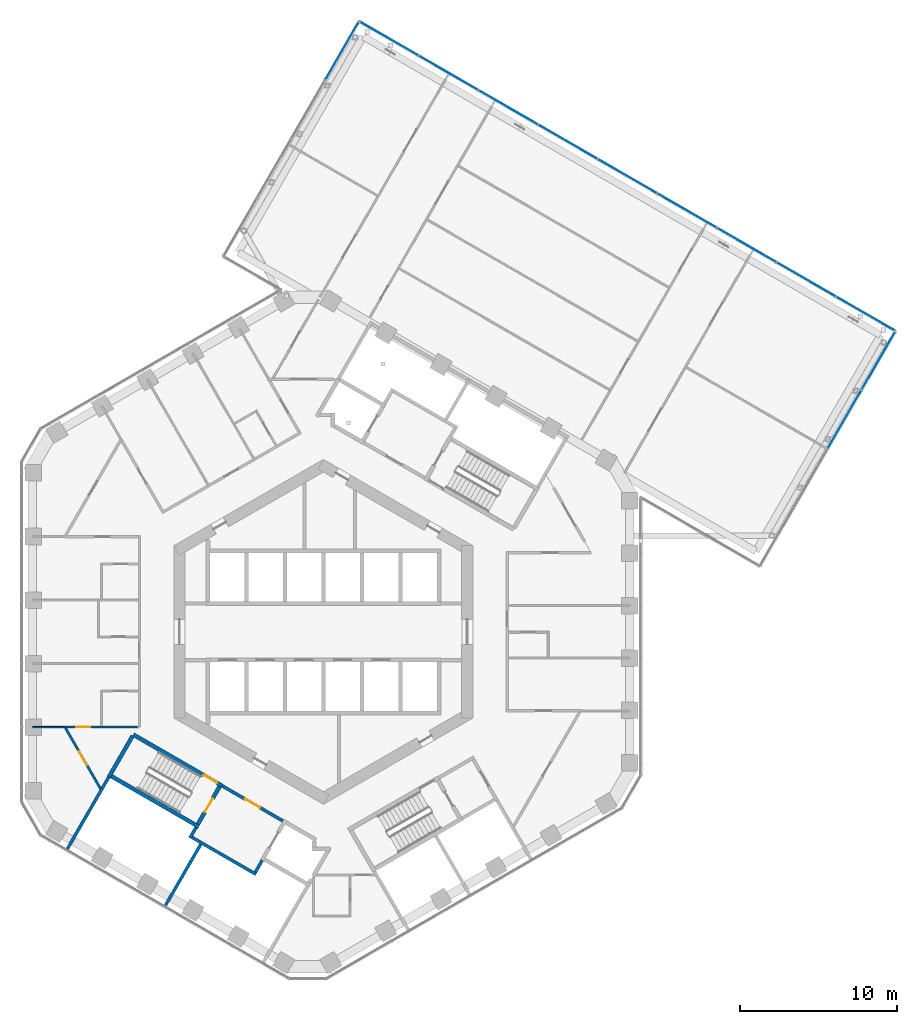
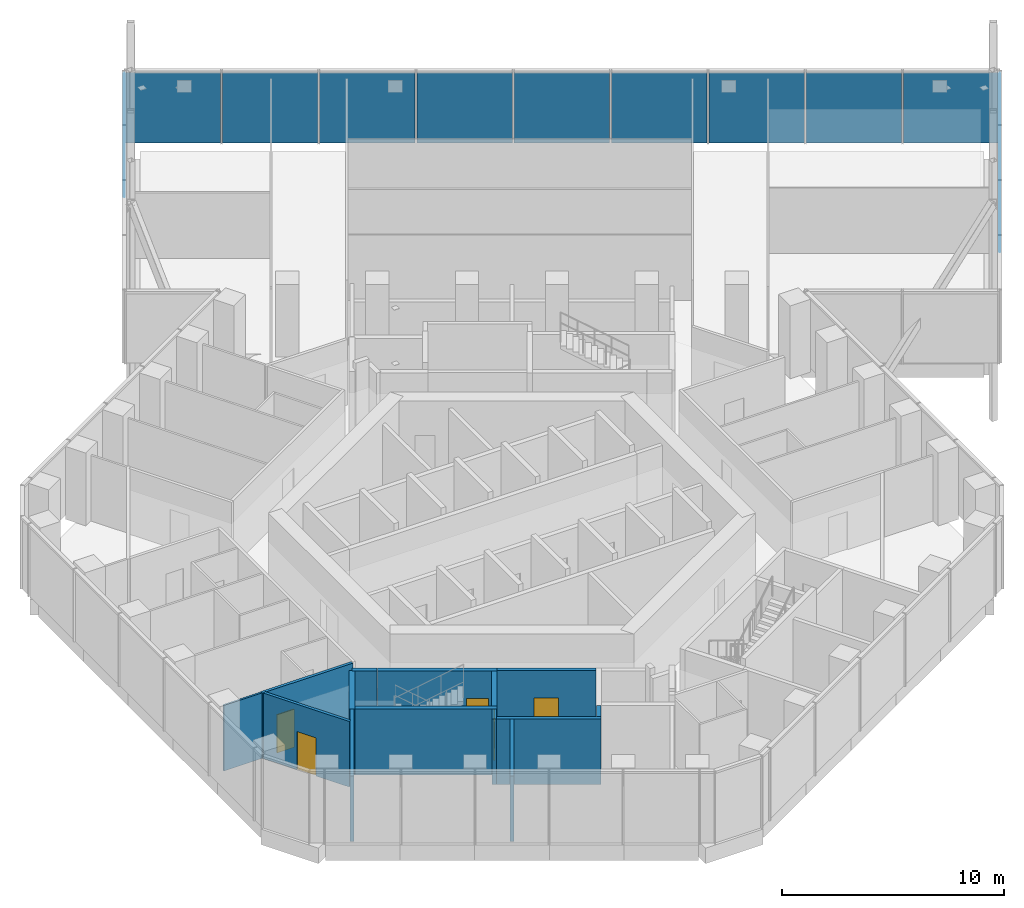
# One storey, part 18 of 25: 14 walls, 12 plates, 5 doors, 5 openings, 3 elements without a shape of their own.
"""IFC4 building model written with IfcOpenShell, lengths in metres."""

from ifc_helpers import new_model, si_unit, direction, frame, frame_2d, origin, origin_2d, place, context, subcontext, project, spatial, rectangle, extrude, material, layer, layer_set, type_object, element, fill, aggregate, save


model = new_model("IFC4")

# Units and contexts
model_context = context("Model", 3, precision=1e-05, world=origin(), true_north=direction((0.0, 1.0)))
body_context = subcontext(model_context, "Body", "Model", "MODEL_VIEW")
ifc_project = project(units=[si_unit("LENGTHUNIT", "METRE"), si_unit("AREAUNIT", "SQUARE_METRE"), si_unit("VOLUMEUNIT", "CUBIC_METRE"), si_unit("PLANEANGLEUNIT", "RADIAN"), si_unit("MASSUNIT", "GRAM", prefix="KILO")], contexts=[model_context])

# Site, building, storey
site_placement = place(None, origin())
site = spatial("IfcSite", under=ifc_project, at=site_placement, CompositionType="ELEMENT")
building_placement = place(site_placement, origin())
building = spatial("IfcBuilding", under=site, at=building_placement, Name="Ayvan Gate Tower", CompositionType="ELEMENT")
storey_placement = place(building_placement, frame((0.0, 0.0, 139.89990234375)))
storey = spatial("IfcBuildingStorey", under=building, at=storey_placement, Name="L37", CompositionType="ELEMENT", Elevation=139.89990234375)

# Curtain wall, plates
ifc_material_1 = material(Name="Bronze anodised aluminium", Category="aluminium")
ifc_layer_1 = layer(ifc_material_1, 0.199951171875)
ifc_layer_set_1 = layer_set([ifc_layer_1], Name="Bronze anodised aluminium")
curtain_wall_type = type_object("IfcCurtainWallType", Name="Stick curtain wall CW-4", PredefinedType="NOTDEFINED", material=ifc_layer_set_1)
curtain_wall_1_placement = place(storey_placement, origin())
curtain_wall_1 = element("IfcCurtainWall", 1, at=curtain_wall_1_placement, inside=storey, type_object=curtain_wall_type, Name="Stick curtain wall CW-4 L37", PredefinedType="NOTDEFINED")
ifc_material_2 = material(Name="Pale anodised aluminium composite panel", Category="aluminium")
ifc_layer_2 = layer(ifc_material_2, 0.028076171875)
ifc_layer_set_2 = layer_set([ifc_layer_2], Name="Pale anodised aluminium composite panel")
plate_type = type_object("IfcPlateType", Name="Stick curtain wall CW-4 solid panel", PredefinedType="CURTAIN_PANEL", material=ifc_layer_set_2)
plate_1_placement = place(storey_placement, frame((33.153076171875, 13.52294921875, 0.0), z_axis=(0.0, 0.0, 1.0), x_axis=(0.5, 0.866025403784, 0.0)))
plate_1 = element("IfcPlate", 2, at=plate_1_placement, type_object=plate_type, Name="CW-4 solid panel 3", PredefinedType="CURTAIN_PANEL", context=body_context, shape_type="SweptSolid", body=[
    extrude(rectangle(XDim=4.237548828125, YDim=0.028076171875, at=origin_2d()), origin(), (0.0, 0.0, 1.0), 3.860107421875),
])
plate_2_placement = place(storey_placement, frame((35.311767578125, 17.261962890625, 0.0), z_axis=(0.0, 0.0, 1.0), x_axis=(0.5, 0.866025403784, 0.0)))
plate_2 = element("IfcPlate", 3, at=plate_2_placement, type_object=plate_type, Name="CW-4 solid panel 4", PredefinedType="CURTAIN_PANEL", context=body_context, shape_type="SweptSolid", body=[
    extrude(rectangle(XDim=4.237548828125, YDim=0.028076171875, at=origin_2d()), origin(), (0.0, 0.0, 1.0), 3.860107421875),
])
aggregate(curtain_wall_1, [plate_1, plate_2])

curtain_wall_2_placement = place(storey_placement, origin())
curtain_wall_2 = element("IfcCurtainWall", 4, at=curtain_wall_2_placement, inside=storey, type_object=curtain_wall_type, Name="Stick curtain wall CW-4 L37", PredefinedType="NOTDEFINED")
plate_3_placement = place(storey_placement, frame((34.49560546875, 20.225830078125, 0.0), z_axis=(0.0, 0.0, 1.0), x_axis=(-0.866025403784, 0.5, 0.0)))
plate_3 = element("IfcPlate", 5, at=plate_3_placement, type_object=plate_type, Name="CW-4 solid panel 1", PredefinedType="CURTAIN_PANEL", context=body_context, shape_type="SweptSolid", body=[
    extrude(rectangle(XDim=4.2978515625, YDim=0.028076171875, at=origin_2d()), origin(), (0.0, 0.0, 1.0), 3.860107421875),
])
plate_4_placement = place(storey_placement, frame((30.704345703125, 22.414794921875, 0.0), z_axis=(0.0, 0.0, 1.0), x_axis=(-0.866025403784, 0.5, 0.0)))
plate_4 = element("IfcPlate", 6, at=plate_4_placement, type_object=plate_type, Name="CW-4 solid panel 2", PredefinedType="CURTAIN_PANEL", context=body_context, shape_type="SweptSolid", body=[
    extrude(rectangle(XDim=4.2978515625, YDim=0.028076171875, at=origin_2d()), origin(), (0.0, 0.0, 1.0), 3.860107421875),
])
plate_5_placement = place(storey_placement, frame((26.9130859375, 24.603759765625, 0.0), z_axis=(0.0, 0.0, 1.0), x_axis=(-0.866025403784, 0.5, 0.0)))
plate_5 = element("IfcPlate", 7, at=plate_5_placement, type_object=plate_type, Name="CW-4 solid panel 3", PredefinedType="CURTAIN_PANEL", context=body_context, shape_type="SweptSolid", body=[
    extrude(rectangle(XDim=4.2978515625, YDim=0.028076171875, at=origin_2d()), origin(), (0.0, 0.0, 1.0), 3.860107421875),
])
plate_6_placement = place(storey_placement, frame((23.121826171875, 26.79248046875, 0.0), z_axis=(0.0, 0.0, 1.0), x_axis=(-0.866025403784, 0.5, 0.0)))
plate_6 = element("IfcPlate", 8, at=plate_6_placement, type_object=plate_type, Name="CW-4 solid panel 4", PredefinedType="CURTAIN_PANEL", context=body_context, shape_type="SweptSolid", body=[
    extrude(rectangle(XDim=4.2978515625, YDim=0.028076171875, at=origin_2d()), origin(), (0.0, 0.0, 1.0), 3.860107421875),
])
plate_7_placement = place(storey_placement, frame((19.33056640625, 28.9814453125, 0.0), z_axis=(0.0, 0.0, 1.0), x_axis=(-0.866025403784, 0.5, 0.0)))
plate_7 = element("IfcPlate", 9, at=plate_7_placement, type_object=plate_type, Name="CW-4 solid panel 5", PredefinedType="CURTAIN_PANEL", context=body_context, shape_type="SweptSolid", body=[
    extrude(rectangle(XDim=4.2978515625, YDim=0.028076171875, at=origin_2d()), origin(), (0.0, 0.0, 1.0), 3.860107421875),
])
plate_8_placement = place(storey_placement, frame((15.539306640625, 31.17041015625, 0.0), z_axis=(0.0, 0.0, 1.0), x_axis=(-0.866025403784, 0.5, 0.0)))
plate_8 = element("IfcPlate", 10, at=plate_8_placement, type_object=plate_type, Name="CW-4 solid panel 6", PredefinedType="CURTAIN_PANEL", context=body_context, shape_type="SweptSolid", body=[
    extrude(rectangle(XDim=4.2978515625, YDim=0.028076171875, at=origin_2d()), origin(), (0.0, 0.0, 1.0), 3.860107421875),
])
plate_9_placement = place(storey_placement, frame((11.748046875, 33.359130859375, 0.0), z_axis=(0.0, 0.0, 1.0), x_axis=(-0.866025403784, 0.5, 0.0)))
plate_9 = element("IfcPlate", 11, at=plate_9_placement, type_object=plate_type, Name="CW-4 solid panel 7", PredefinedType="CURTAIN_PANEL", context=body_context, shape_type="SweptSolid", body=[
    extrude(rectangle(XDim=4.2978515625, YDim=0.028076171875, at=origin_2d()), origin(), (0.0, 0.0, 1.0), 3.860107421875),
])
plate_10_placement = place(storey_placement, frame((7.956787109375, 35.548095703125, 0.0), z_axis=(0.0, 0.0, 1.0), x_axis=(-0.866025403784, 0.5, 0.0)))
plate_10 = element("IfcPlate", 12, at=plate_10_placement, type_object=plate_type, Name="CW-4 solid panel 8", PredefinedType="CURTAIN_PANEL", context=body_context, shape_type="SweptSolid", body=[
    extrude(rectangle(XDim=4.2978515625, YDim=0.028076171875, at=origin_2d()), origin(), (0.0, 0.0, 1.0), 3.860107421875),
])
plate_11_placement = place(storey_placement, frame((4.16552734375, 37.737060546875, 0.0), z_axis=(0.0, 0.0, 1.0), x_axis=(-0.866025403784, 0.5, 0.0)))
plate_11 = element("IfcPlate", 13, at=plate_11_placement, type_object=plate_type, Name="CW-4 solid panel 9", PredefinedType="CURTAIN_PANEL", context=body_context, shape_type="SweptSolid", body=[
    extrude(rectangle(XDim=4.2978515625, YDim=0.028076171875, at=origin_2d()), origin(), (0.0, 0.0, 1.0), 3.860107421875),
])
aggregate(curtain_wall_2, [plate_3, plate_4, plate_5, plate_6, plate_7, plate_8, plate_9, plate_10, plate_11])

# Curtain wall, plate
curtain_wall_3_placement = place(storey_placement, origin())
curtain_wall_3 = element("IfcCurtainWall", 14, at=curtain_wall_3_placement, inside=storey, type_object=curtain_wall_type, Name="Stick curtain wall CW-4 L37", PredefinedType="NOTDEFINED")
plate_12_placement = place(storey_placement, frame((1.1904296875, 36.9619140625, 0.0), z_axis=(0.0, 0.0, 1.0), x_axis=(-0.5, -0.866025403784, 0.0)))
plate_12 = element("IfcPlate", 15, at=plate_12_placement, type_object=plate_type, Name="CW-4 solid panel 1", PredefinedType="CURTAIN_PANEL", context=body_context, shape_type="SweptSolid", body=[
    extrude(rectangle(XDim=4.237548828125, YDim=0.028076171875, at=origin_2d()), origin(), (0.0, 0.0, 1.0), 3.860107421875),
])
aggregate(curtain_wall_3, [plate_12])

# Wall, opening, door
ifc_material_3 = material(Name="Plasterboard on steel stud", Category="steel")
ifc_layer_3 = layer(ifc_material_3, 0.14990234375)
ifc_layer_set_3 = layer_set([ifc_layer_3], Name="Plasterboard on steel stud")
wall_type_1 = type_object("IfcWallType", Name="WT-CORR-150", PredefinedType="PARTITIONING", material=ifc_layer_set_3)
wall_1_placement = place(storey_placement, frame((-16.513916015625, -6.05419921875, 0.0), z_axis=(0.0, 0.0, 1.0), x_axis=(1.0, 0.0, 0.0)))
wall_1 = element("IfcWall", 16, at=wall_1_placement, inside=storey, type_object=wall_type_1, Name="IW-L37-001", PredefinedType="PARTITIONING", context=body_context, shape_type="SweptSolid", body=[
    extrude(rectangle(XDim=4.704833984375, YDim=0.14990234375, at=frame_2d((2.3525390625, 0.0))), origin(), (0.0, 0.0, 1.0), 3.60009765625),
])
opening_1_placement = place(wall_1_placement, frame((0.796630859375, 0.0, 0.0)))
opening_1 = element("IfcOpeningElement", 17, at=opening_1_placement, cuts=wall_1, Name="Opening L37-D26", PredefinedType="OPENING", context=body_context, shape_type="SweptSolid", body=[
    extrude(rectangle(XDim=0.89990234375, YDim=2.10009765625, at=frame_2d((0.449951171875, 1.050048828125))), frame((0.0, 0.0849609375, 0.0), z_axis=(0.0, -1.0, 0.0), x_axis=(1.0, 0.0, 0.0)), (0.0, 0.0, 1.0), 0.169921875),
])
ifc_material_4 = material(Name="Timber door leaf", Category="wood")
door_type_1 = type_object("IfcDoorType", Name="DT-900", OperationType="NOTDEFINED", PredefinedType="DOOR", material=ifc_material_4)
door_1_placement = place(opening_1_placement, origin())
door_1 = element("IfcDoor", 18, at=door_1_placement, inside=storey, type_object=door_type_1, Name="ID-L37-026", OperationType="SINGLE_SWING_LEFT", OverallHeight=2.10009765625, OverallWidth=0.89990234375, PredefinedType="DOOR", context=body_context, shape_type="SweptSolid", body=[
    extrude(rectangle(XDim=0.89990234375, YDim=2.10009765625, at=frame_2d((0.449951171875, 1.050048828125))), frame((0.0, 0.02490234375, 0.0), z_axis=(0.0, -1.0, 0.0), x_axis=(1.0, 0.0, 0.0)), (0.0, 0.0, 1.0), 0.050048828125),
])
fill(opening_1, door_1)

wall_2_placement = place(storey_placement, frame((-14.174072265625, -9.976806640625, 0.0), z_axis=(0.0, 0.0, 1.0), x_axis=(-0.500011854745, 0.866018559336, 0.0)))
wall_2 = element("IfcWall", 19, at=wall_2_placement, inside=storey, type_object=wall_type_1, Name="IW-L37-008", PredefinedType="PARTITIONING", context=body_context, shape_type="SweptSolid", body=[
    extrude(rectangle(XDim=4.45458984375, YDim=0.14990234375, at=frame_2d((2.227294921875, 0.0))), origin(), (0.0, 0.0, 1.0), 3.60009765625),
])
opening_2_placement = place(wall_2_placement, frame((1.727294921875, 0.0, 0.0)))
opening_2 = element("IfcOpeningElement", 20, at=opening_2_placement, cuts=wall_2, Name="Opening L37-D28", PredefinedType="OPENING", context=body_context, shape_type="SweptSolid", body=[
    extrude(rectangle(XDim=1.0, YDim=2.10009765625, at=frame_2d((0.5, 1.050048828125))), frame((0.0, 0.0849609375, 0.0), z_axis=(0.0, -1.0, 0.0), x_axis=(1.0, 0.0, 0.0)), (0.0, 0.0, 1.0), 0.169921875),
])
door_type_2 = type_object("IfcDoorType", Name="DT-1000", OperationType="NOTDEFINED", PredefinedType="DOOR", material=ifc_material_4)
door_2_placement = place(opening_2_placement, origin())
door_2 = element("IfcDoor", 21, at=door_2_placement, inside=storey, type_object=door_type_2, Name="ID-L37-028", OperationType="SINGLE_SWING_LEFT", OverallHeight=2.10009765625, OverallWidth=1.0, PredefinedType="DOOR", context=body_context, shape_type="SweptSolid", body=[
    extrude(rectangle(XDim=1.0, YDim=2.10009765625, at=frame_2d((0.5, 1.050048828125))), frame((0.0, 0.02490234375, 0.0), z_axis=(0.0, -1.0, 0.0), x_axis=(1.0, 0.0, 0.0)), (0.0, 0.0, 1.0), 0.050048828125),
])
fill(opening_2, door_2)

# Walls
ifc_layer_4 = layer(ifc_material_3, 0.10009765625)
ifc_layer_set_4 = layer_set([ifc_layer_4], Name="Plasterboard on steel stud")
wall_type_2 = type_object("IfcWallType", Name="WT-PART-100", PredefinedType="PARTITIONING", material=ifc_layer_set_4)
wall_3_placement = place(storey_placement, frame((-16.513916015625, -6.05419921875, 0.0), z_axis=(0.0, 0.0, 1.0), x_axis=(-1.0, 0.0, 0.0)))
element("IfcWall", 22, at=wall_3_placement, inside=storey, type_object=wall_type_2, Name="IW-L37-000", PredefinedType="PARTITIONING", context=body_context, shape_type="SweptSolid", body=[
    extrude(rectangle(XDim=1.980224609375, YDim=0.10009765625, at=frame_2d((0.990234375, 0.0))), origin(), (0.0, 0.0, 1.0), 3.60009765625),
])
ifc_layer_5 = layer(ifc_material_3, 0.199951171875)
ifc_layer_set_5 = layer_set([ifc_layer_5], Name="Plasterboard on steel stud")
wall_type_3 = type_object("IfcWallType", Name="WT-PLUMB-200", PredefinedType="PLUMBINGWALL", material=ifc_layer_set_5)
wall_4_placement = place(storey_placement, frame((-16.276123046875, -13.791259765625, 0.0), z_axis=(0.0, 0.0, 1.0), x_axis=(0.499970375258, 0.866042506961, 0.0)))
element("IfcWall", 23, at=wall_4_placement, inside=storey, type_object=wall_type_3, Name="IW-L37-004", PredefinedType="PLUMBINGWALL", context=body_context, shape_type="SweptSolid", body=[
    extrude(rectangle(XDim=5.256591796875, YDim=0.199951171875, at=frame_2d((2.62841796875, 0.0))), origin(), (0.0, 0.0, 1.0), 3.60009765625),
])
wall_5_placement = place(storey_placement, frame((-8.492919921875, -13.110107421875, 0.0), z_axis=(0.0, 0.0, 1.0), x_axis=(0.500067724834, 0.865986299303, 0.0)))
element("IfcWall", 24, at=wall_5_placement, inside=storey, type_object=wall_type_3, Name="IW-L37-023", PredefinedType="PLUMBINGWALL", context=body_context, shape_type="SweptSolid", body=[
    extrude(rectangle(XDim=0.775390625, YDim=0.199951171875, at=frame_2d((0.3876953125, 0.0))), origin(), (0.0, 0.0, 1.0), 3.60009765625),
])
wall_6_placement = place(storey_placement, frame((-7.800048828125, -13.510009765625, 0.0), z_axis=(0.0, 0.0, 1.0), x_axis=(-0.499994393058, -0.866028640929, 0.0)))
element("IfcWall", 25, at=wall_6_placement, inside=storey, type_object=wall_type_3, Name="IW-L37-025", PredefinedType="PLUMBINGWALL", context=body_context, shape_type="SweptSolid", body=[
    extrude(rectangle(XDim=4.4814453125, YDim=0.199951171875, at=frame_2d((2.24072265625, 0.0))), origin(), (0.0, 0.0, 1.0), 3.60009765625),
])
wall_7_placement = place(storey_placement, frame((-8.356201171875, -13.073486328125, 0.0), z_axis=(0.0, 0.0, 1.0), x_axis=(0.866038532462, -0.499977259774, 0.0)))
element("IfcWall", 26, at=wall_7_placement, inside=storey, type_object=wall_type_3, Name="IW-L37-026", PredefinedType="PLUMBINGWALL", context=body_context, shape_type="SweptSolid", body=[
    extrude(rectangle(XDim=4.699951171875, YDim=0.199951171875, at=frame_2d((2.35009765625, 0.0))), origin(), (0.0, 0.0, 1.0), 3.60009765625),
])
wall_8_placement = place(storey_placement, frame((-3.885009765625, -14.52880859375, 0.0), z_axis=(0.0, 0.0, 1.0), x_axis=(-0.499859285417, -0.866106630146, 0.0)))
element("IfcWall", 27, at=wall_8_placement, inside=storey, type_object=wall_type_3, Name="IW-L37-042", PredefinedType="PLUMBINGWALL", context=body_context, shape_type="SweptSolid", body=[
    extrude(rectangle(XDim=0.875244140625, YDim=0.199951171875, at=frame_2d((0.4375, 0.0))), origin(), (0.0, 0.0, 1.0), 3.60009765625),
])

# Wall, opening, door
ifc_layer_6 = layer(ifc_material_3, 0.199951171875)
ifc_layer_set_6 = layer_set([ifc_layer_6], Name="Plasterboard on steel stud")
wall_type_4 = type_object("IfcWallType", Name="WT-RATED-200", PredefinedType="PARTITIONING", material=ifc_layer_set_6)
wall_9_placement = place(storey_placement, frame((-6.4345703125, -9.794921875, 0.0), z_axis=(0.0, 0.0, 1.0), x_axis=(0.866012907634, -0.500021643343, 0.0)))
wall_9 = element("IfcWall", 28, at=wall_9_placement, inside=storey, type_object=wall_type_4, Name="IW-L37-034", PredefinedType="PARTITIONING", context=body_context, shape_type="SweptSolid", body=[
    extrude(rectangle(XDim=4.449951171875, YDim=0.199951171875, at=frame_2d((2.22509765625, 0.0))), origin(), (0.0, 0.0, 1.0), 3.60009765625),
])
opening_3_placement = place(wall_9_placement, frame((1.675048828125, 0.0, 0.0)))
opening_3 = element("IfcOpeningElement", 29, at=opening_3_placement, cuts=wall_9, Name="Opening L37-D12", PredefinedType="OPENING", context=body_context, shape_type="SweptSolid", body=[
    extrude(rectangle(XDim=1.10009765625, YDim=2.10009765625, at=frame_2d((0.550048828125, 1.050048828125))), frame((0.0, 0.10986328125, 0.0), z_axis=(0.0, -1.0, 0.0), x_axis=(1.0, 0.0, 0.0)), (0.0, 0.0, 1.0), 0.219970703125),
])
door_type_3 = type_object("IfcDoorType", Name="DT-1100", OperationType="NOTDEFINED", PredefinedType="DOOR", material=ifc_material_4)
door_3_placement = place(opening_3_placement, origin())
door_3 = element("IfcDoor", 30, at=door_3_placement, inside=storey, type_object=door_type_3, Name="ID-L37-012", OperationType="SINGLE_SWING_LEFT", OverallHeight=2.10009765625, OverallWidth=1.10009765625, PredefinedType="DOOR", context=body_context, shape_type="SweptSolid", body=[
    extrude(rectangle(XDim=1.10009765625, YDim=2.10009765625, at=frame_2d((0.550048828125, 1.050048828125))), frame((0.0, 0.02490234375, 0.0), z_axis=(0.0, -1.0, 0.0), x_axis=(1.0, 0.0, 0.0)), (0.0, 0.0, 1.0), 0.050048828125),
])
fill(opening_3, door_3)

# Walls
ifc_material_5 = material(Name="Concrete C50/60", Category="concrete")
ifc_layer_7 = layer(ifc_material_5, 0.25)
ifc_layer_set_7 = layer_set([ifc_layer_7], Name="Concrete C50/60")
wall_type_5 = type_object("IfcWallType", Name="WT-RC-250", PredefinedType="SHEAR", material=ifc_layer_set_7)
wall_10_placement = place(storey_placement, frame((-13.64794921875, -9.23876953125, 0.0), z_axis=(0.0, 0.0, 1.0), x_axis=(0.50000556753, 0.866022189346, 0.0)))
element("IfcWall", 31, at=wall_10_placement, inside=storey, type_object=wall_type_5, Name="IW-L37-012", PredefinedType="SHEAR", context=body_context, shape_type="SweptSolid", body=[
    extrude(rectangle(XDim=3.03564453125, YDim=0.25, at=frame_2d((1.517822265625, 0.0))), origin(), (0.0, 0.0, 1.0), 3.60009765625),
])
wall_11_placement = place(storey_placement, frame((-12.08544921875, -6.532470703125, 0.0), z_axis=(0.0, 0.0, 1.0), x_axis=(0.86604373436, -0.499968249168, 0.0)))
element("IfcWall", 32, at=wall_11_placement, inside=storey, type_object=wall_type_5, Name="IW-L37-014", PredefinedType="SHEAR", context=body_context, shape_type="SweptSolid", body=[
    extrude(rectangle(XDim=1.11767578125, YDim=0.25, at=frame_2d((0.558837890625, 0.0))), origin(), (0.0, 0.0, 1.0), 3.60009765625),
])

# Wall, opening, door
wall_12_placement = place(storey_placement, frame((-11.10009765625, -7.101318359375, 0.0), z_axis=(0.0, 0.0, 1.0), x_axis=(0.866028615007, -0.499994437958, 0.0)))
wall_12 = element("IfcWall", 33, at=wall_12_placement, inside=storey, type_object=wall_type_5, Name="IW-L37-020", PredefinedType="SHEAR", context=body_context, shape_type="SweptSolid", body=[
    extrude(rectangle(XDim=5.38720703125, YDim=0.25, at=frame_2d((2.693603515625, 0.0))), origin(), (0.0, 0.0, 1.0), 3.60009765625),
])
opening_4_placement = place(wall_12_placement, frame((4.01220703125, 0.0, 0.0)))
opening_4 = element("IfcOpeningElement", 34, at=opening_4_placement, cuts=wall_12, Name="Opening L37-D10", PredefinedType="OPENING", context=body_context, shape_type="SweptSolid", body=[
    extrude(rectangle(XDim=1.0, YDim=2.10009765625, at=frame_2d((0.5, 1.050048828125))), frame((0.0, 0.135009765625, 0.0), z_axis=(0.0, -1.0, 0.0), x_axis=(1.0, 0.0, 0.0)), (0.0, 0.0, 1.0), 0.27001953125),
])
door_4_placement = place(opening_4_placement, origin())
door_4 = element("IfcDoor", 35, at=door_4_placement, inside=storey, type_object=door_type_2, Name="ID-L37-010", OperationType="SINGLE_SWING_LEFT", OverallHeight=2.10009765625, OverallWidth=1.0, PredefinedType="DOOR", context=body_context, shape_type="SweptSolid", body=[
    extrude(rectangle(XDim=1.0, YDim=2.10009765625, at=frame_2d((0.5, 1.050048828125))), frame((0.0, 0.02490234375, 0.0), z_axis=(0.0, -1.0, 0.0), x_axis=(1.0, 0.0, 0.0)), (0.0, 0.0, 1.0), 0.050048828125),
])
fill(opening_4, door_4)

# Wall
wall_13_placement = place(storey_placement, frame((-7.9345703125, -12.39306640625, 0.0), z_axis=(0.0, 0.0, 1.0), x_axis=(-0.866025499775, 0.499999833739, 0.0)))
element("IfcWall", 36, at=wall_13_placement, inside=storey, type_object=wall_type_5, Name="IW-L37-024", PredefinedType="SHEAR", context=body_context, shape_type="SweptSolid", body=[
    extrude(rectangle(XDim=6.39990234375, YDim=0.25, at=frame_2d((3.199951171875, 0.0))), origin(), (0.0, 0.0, 1.0), 3.60009765625),
])

# Wall, opening, door
wall_14_placement = place(storey_placement, frame((-6.605224609375, -9.8408203125, 0.0), z_axis=(0.0, 0.0, 1.0), x_axis=(-0.499996545922, -0.866027397988, 0.0)))
wall_14 = element("IfcWall", 37, at=wall_14_placement, inside=storey, type_object=wall_type_5, Name="IW-L37-033", PredefinedType="SHEAR", context=body_context, shape_type="SweptSolid", body=[
    extrude(rectangle(XDim=2.75, YDim=0.25, at=frame_2d((1.375, 0.0))), origin(), (0.0, 0.0, 1.0), 3.60009765625),
])
opening_5_placement = place(wall_14_placement, frame((0.875, 0.0, 0.0)))
opening_5 = element("IfcOpeningElement", 38, at=opening_5_placement, cuts=wall_14, Name="Opening L37-D11", PredefinedType="OPENING", context=body_context, shape_type="SweptSolid", body=[
    extrude(rectangle(XDim=1.0, YDim=2.10009765625, at=frame_2d((0.5, 1.050048828125))), frame((0.0, 0.135009765625, 0.0), z_axis=(0.0, -1.0, 0.0), x_axis=(1.0, 0.0, 0.0)), (0.0, 0.0, 1.0), 0.27001953125),
])
door_5_placement = place(opening_5_placement, origin())
door_5 = element("IfcDoor", 39, at=door_5_placement, inside=storey, type_object=door_type_2, Name="ID-L37-011", OperationType="SINGLE_SWING_RIGHT", OverallHeight=2.10009765625, OverallWidth=1.0, PredefinedType="DOOR", context=body_context, shape_type="SweptSolid", body=[
    extrude(rectangle(XDim=1.0, YDim=2.10009765625, at=frame_2d((0.5, 1.050048828125))), frame((0.0, 0.02490234375, 0.0), z_axis=(0.0, -1.0, 0.0), x_axis=(1.0, 0.0, 0.0)), (0.0, 0.0, 1.0), 0.050048828125),
])
fill(opening_5, door_5)

save(model, "model.ifc")
